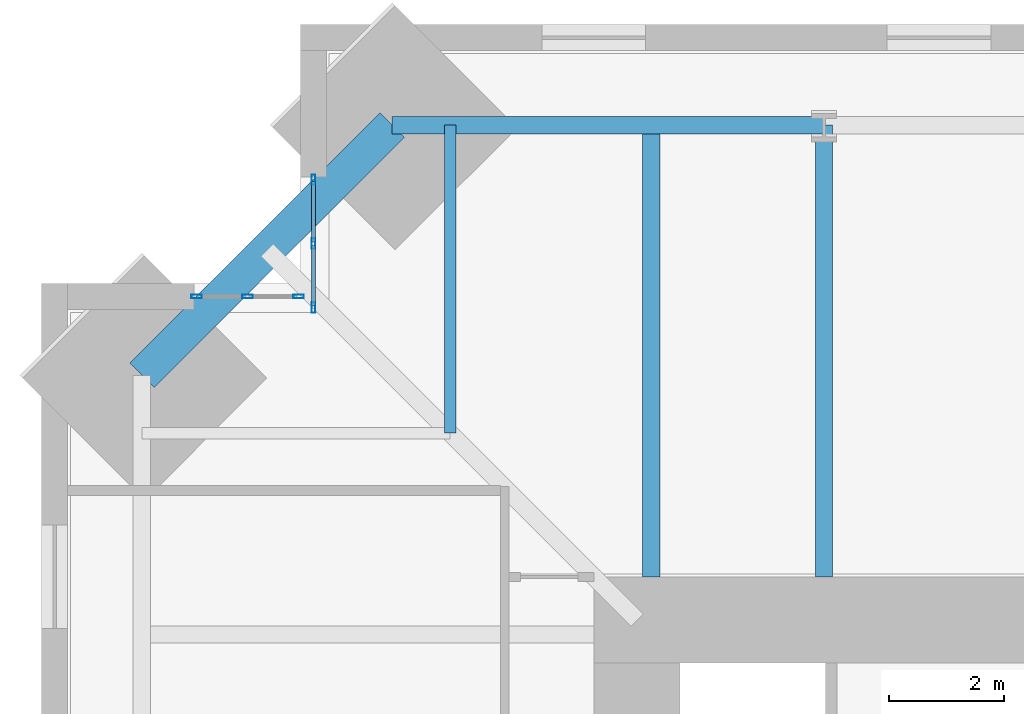
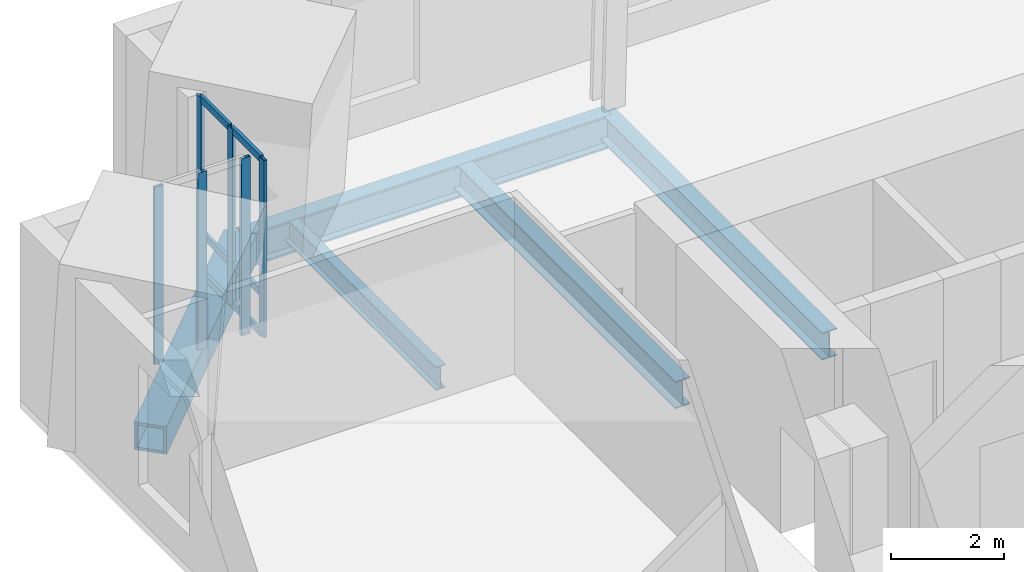
# One storey, part 6 of 16: 12 members, 5 beams, 2 elements without a shape of their own.
"""IFC4 building model written with IfcOpenShell, lengths in metres."""

from ifc_helpers import new_model, si_unit, direction, frame, origin, origin_2d, place, context, subcontext, project, spatial, hollow_rectangle, i_section, extrude, material, material_profile, profile_set, type_object, element, aggregate, save


model = new_model("IFC4")

# Units and contexts
model_context = context("Model", 3, precision=1e-05, world=origin(), true_north=direction((0.0, 1.0)))
body_context = subcontext(model_context, "Body", "Model", "MODEL_VIEW")
ifc_project = project(units=[si_unit("LENGTHUNIT", "METRE"), si_unit("AREAUNIT", "SQUARE_METRE"), si_unit("VOLUMEUNIT", "CUBIC_METRE"), si_unit("PLANEANGLEUNIT", "RADIAN"), si_unit("MASSUNIT", "GRAM", prefix="KILO")], contexts=[model_context])

# Site, building, storey
site_placement = place(None, origin())
site = spatial("IfcSite", under=ifc_project, at=site_placement, CompositionType="ELEMENT")
building_placement = place(site_placement, origin())
building = spatial("IfcBuilding", under=site, at=building_placement, Name="Peilmerk Tower", CompositionType="ELEMENT")
storey_placement = place(building_placement, frame((0.0, 0.0, 273.800048828125)))
storey = spatial("IfcBuildingStorey", under=building, at=storey_placement, Name="L61", CompositionType="ELEMENT", Elevation=273.800048828125)

# Beams
ifc_material_1 = material(Name="Steel S460", Category="steel")
ifc_material_profile_1 = material_profile(ifc_material_1, hollow_rectangle(XDim=0.60009765625, YDim=0.60009765625, WallThickness=0.06005859375, at=origin_2d()), Name="BOX 600x600x60")
ifc_profile_set_1 = profile_set([ifc_material_profile_1], Name="Steel S460")
beam_type_1 = type_object("IfcBeamType", Name="B20 BOX 600x600x60 notch beam", PredefinedType="SPANDREL", material=ifc_profile_set_1)
beam_1_placement = place(storey_placement, frame((-19.8564453125, 15.50634765625, -0.469970703125), z_axis=(0.707106781187, 0.707106781187, 0.0), x_axis=(-0.707106781187, 0.707106781187, 0.0)))
element("IfcBeam", 1, at=beam_1_placement, inside=storey, type_object=beam_type_1, Name="Notch beam L61", PredefinedType="SPANDREL", context=body_context, shape_type="SweptSolid", body=[
    extrude(hollow_rectangle(XDim=0.60009765625, YDim=0.60009765625, WallThickness=0.06005859375, at=origin_2d()), origin(), (0.0, 0.0, 1.0), 6.15185546875),
])
ifc_material_2 = material(Name="Steel S355", Category="steel")
ifc_material_profile_2 = material_profile(ifc_material_2, i_section(OverallWidth=0.300048828125, OverallDepth=0.590087890625, WebThickness=0.012939453125, FlangeThickness=0.02490234375, at=origin_2d()), Name="HEA 600")
ifc_profile_set_2 = profile_set([ifc_material_profile_2], Name="Steel S355")
beam_type_2 = type_object("IfcBeamType", Name="B27 HEA 600 floor beam", PredefinedType="BEAM", material=ifc_profile_set_2)
for number, where, z_axis, x_axis, name in (
    (2, (-8.0, 12.0, -0.465087890625), (0.0, 1.0, 0.0), (-1.0, 0.0, 0.0), "Floor beam L61"),
    (3, (-11.0, 12.0, -0.465087890625), (0.0, 1.0, 0.0), (-1.0, 0.0, 0.0), "Floor beam L61"),
):
    element("IfcBeam", number, at=place(storey_placement, frame(where, z_axis=z_axis, x_axis=x_axis)), inside=storey, type_object=beam_type_2, Name=name, PredefinedType="BEAM", context=body_context, shape_type="SweptSolid", body=[
        extrude(i_section(OverallWidth=0.300048828125, OverallDepth=0.590087890625, WebThickness=0.012939453125, FlangeThickness=0.02490234375, at=origin_2d()), origin(), (0.0, 0.0, 1.0), 7.8564453125),
    ])
ifc_material_profile_3 = material_profile(ifc_material_2, i_section(OverallWidth=0.303955078125, OverallDepth=0.716064453125, WebThickness=0.02099609375, FlangeThickness=0.0400390625, at=origin_2d()), Name="HEM 700")
ifc_profile_set_3 = profile_set([ifc_material_profile_3], Name="Steel S355")
beam_type_3 = type_object("IfcBeamType", Name="B30 HEM 700 edge beam", PredefinedType="SPANDREL", material=ifc_profile_set_3)
beam_2_placement = place(storey_placement, frame((-8.0, 19.8564453125, -0.528076171875), z_axis=(-1.0, 0.0, 0.0), x_axis=(0.0, -1.0, 0.0)))
element("IfcBeam", 4, at=beam_2_placement, inside=storey, type_object=beam_type_3, Name="Edge beam L61", PredefinedType="SPANDREL", context=body_context, shape_type="SweptSolid", body=[
    extrude(i_section(OverallWidth=0.303955078125, OverallDepth=0.716064453125, WebThickness=0.02099609375, FlangeThickness=0.0400390625, at=origin_2d()), origin(), (0.0, 0.0, 1.0), 7.50634765625),
])
ifc_material_profile_4 = material_profile(ifc_material_2, i_section(OverallWidth=0.199951171875, OverallDepth=0.5, WebThickness=0.01025390625, FlangeThickness=0.01611328125, at=origin_2d()), Name="IPE 500")
ifc_profile_set_4 = profile_set([ifc_material_profile_4], Name="Steel S355")
beam_type_4 = type_object("IfcBeamType", Name="B32 IPE 500 floor beam", PredefinedType="BEAM", material=ifc_profile_set_4)
beam_3_placement = place(storey_placement, frame((-14.5, 14.5, -0.420166015625), z_axis=(0.0, 1.0, 0.0), x_axis=(-1.0, 0.0, 0.0)))
element("IfcBeam", 5, at=beam_3_placement, inside=storey, type_object=beam_type_4, Name="Floor beam L61", PredefinedType="BEAM", context=body_context, shape_type="SweptSolid", body=[
    extrude(i_section(OverallWidth=0.199951171875, OverallDepth=0.5, WebThickness=0.01025390625, FlangeThickness=0.01611328125, at=origin_2d()), origin(), (0.0, 0.0, 1.0), 5.3564453125),
])

# Curtain wall, members
ifc_material_3 = material(Name="Aluminium stick curtain wall", Category="aluminium")
curtain_wall_type = type_object("IfcCurtainWallType", Name="CW4 stick curtain wall, 2250 module", PredefinedType="NOTDEFINED", material=ifc_material_3)
curtain_wall_1_placement = place(storey_placement, origin())
curtain_wall_1 = element("IfcCurtainWall", 6, at=curtain_wall_1_placement, inside=storey, type_object=curtain_wall_type, Name="Curtain wall CW4 NWA L61", PredefinedType="NOTDEFINED")
ifc_material_4 = material(Name="Aluminium EN AW-6063 T6", Category="aluminium")
ifc_material_profile_5 = material_profile(ifc_material_4, hollow_rectangle(XDim=0.06494140625, YDim=0.179931640625, WallThickness=0.0029296875, at=origin_2d()), Name="AL 180x65x3")
ifc_profile_set_5 = profile_set([ifc_material_profile_5], Name="Aluminium EN AW-6063 T6")
member_type_1 = type_object("IfcMemberType", Name="CW4-M AL 180x65x3 mullion", PredefinedType="MULLION", material=ifc_profile_set_5)
member_1_placement = place(storey_placement, frame((-16.875, 16.6826171875, 0.0), z_axis=(0.0, 0.0, 1.0), x_axis=(-1.0, 0.0, 0.0)))
member_1 = element("IfcMember", 7, at=member_1_placement, type_object=member_type_1, Name="CW4 mullion 1", PredefinedType="MULLION", context=body_context, shape_type="SweptSolid", body=[
    extrude(hollow_rectangle(XDim=0.06494140625, YDim=0.179931640625, WallThickness=0.0029296875, at=origin_2d()), origin(), (0.0, 0.0, 1.0), 3.829833984375),
])
member_2_placement = place(storey_placement, frame((-16.875, 17.79443359375, 0.0), z_axis=(0.0, 0.0, 1.0), x_axis=(-1.0, 0.0, 0.0)))
member_2 = element("IfcMember", 8, at=member_2_placement, type_object=member_type_1, Name="CW4 mullion 2", PredefinedType="MULLION", context=body_context, shape_type="SweptSolid", body=[
    extrude(hollow_rectangle(XDim=0.06494140625, YDim=0.179931640625, WallThickness=0.0029296875, at=origin_2d()), origin(), (0.0, 0.0, 1.0), 3.829833984375),
])
member_3_placement = place(storey_placement, frame((-16.875, 18.90625, 0.0), z_axis=(0.0, 0.0, 1.0), x_axis=(-1.0, 0.0, 0.0)))
member_3 = element("IfcMember", 9, at=member_3_placement, type_object=member_type_1, Name="CW4 mullion 3", PredefinedType="MULLION", context=body_context, shape_type="SweptSolid", body=[
    extrude(hollow_rectangle(XDim=0.06494140625, YDim=0.179931640625, WallThickness=0.0029296875, at=origin_2d()), origin(), (0.0, 0.0, 1.0), 3.829833984375),
])

curtain_wall_2_placement = place(storey_placement, origin())
curtain_wall_2 = element("IfcCurtainWall", 10, at=curtain_wall_2_placement, inside=storey, type_object=curtain_wall_type, Name="Curtain wall CW4 NWB L61", PredefinedType="NOTDEFINED")
member_4_placement = place(storey_placement, frame((-17.132568359375, 16.875, 0.0), z_axis=(0.0, 0.0, 1.0), x_axis=(0.0, -1.0, 0.0)))
member_4 = element("IfcMember", 11, at=member_4_placement, type_object=member_type_1, Name="CW4 mullion 1", PredefinedType="MULLION", context=body_context, shape_type="SweptSolid", body=[
    extrude(hollow_rectangle(XDim=0.06494140625, YDim=0.179931640625, WallThickness=0.0029296875, at=origin_2d()), origin(), (0.0, 0.0, 1.0), 3.829833984375),
])
member_5_placement = place(storey_placement, frame((-18.019287109375, 16.875, 0.0), z_axis=(0.0, 0.0, 1.0), x_axis=(0.0, -1.0, 0.0)))
member_5 = element("IfcMember", 12, at=member_5_placement, type_object=member_type_1, Name="CW4 mullion 2", PredefinedType="MULLION", context=body_context, shape_type="SweptSolid", body=[
    extrude(hollow_rectangle(XDim=0.06494140625, YDim=0.179931640625, WallThickness=0.0029296875, at=origin_2d()), origin(), (0.0, 0.0, 1.0), 3.829833984375),
])
member_6_placement = place(storey_placement, frame((-18.90625, 16.875, 0.0), z_axis=(0.0, 0.0, 1.0), x_axis=(0.0, -1.0, 0.0)))
member_6 = element("IfcMember", 13, at=member_6_placement, type_object=member_type_1, Name="CW4 mullion 3", PredefinedType="MULLION", context=body_context, shape_type="SweptSolid", body=[
    extrude(hollow_rectangle(XDim=0.06494140625, YDim=0.179931640625, WallThickness=0.0029296875, at=origin_2d()), origin(), (0.0, 0.0, 1.0), 3.829833984375),
])
aggregate(curtain_wall_2, [member_4, member_5, member_6])

# Member
ifc_material_profile_6 = material_profile(ifc_material_4, hollow_rectangle(XDim=0.06494140625, YDim=0.14990234375, WallThickness=0.0029296875, at=origin_2d()), Name="AL 150x65x3")
ifc_profile_set_6 = profile_set([ifc_material_profile_6], Name="Aluminium EN AW-6063 T6")
member_type_2 = type_object("IfcMemberType", Name="CW4-T AL 150x65x3 transom", PredefinedType="USERDEFINED", material=ifc_profile_set_6)
member_7_placement = place(storey_placement, frame((-16.875, 16.715087890625, 0.032470703125), z_axis=(0.0, 1.0, 0.0), x_axis=(-1.0, 0.0, 0.0)))
member_7 = element("IfcMember", 14, at=member_7_placement, type_object=member_type_2, Name="CW4 transom 1.1", ObjectType="TRANSOM", PredefinedType="USERDEFINED", context=body_context, shape_type="SweptSolid", body=[
    extrude(hollow_rectangle(XDim=0.06494140625, YDim=0.14990234375, WallThickness=0.0029296875, at=origin_2d()), origin(), (0.0, 0.0, 1.0), 1.046630859375),
])

member_8_placement = place(storey_placement, frame((-16.875, 16.715087890625, 0.89990234375), z_axis=(0.0, 1.0, 0.0), x_axis=(-1.0, 0.0, 0.0)))
member_8 = element("IfcMember", 15, at=member_8_placement, type_object=member_type_2, Name="CW4 transom 1.2", ObjectType="TRANSOM", PredefinedType="USERDEFINED", context=body_context, shape_type="SweptSolid", body=[
    extrude(hollow_rectangle(XDim=0.06494140625, YDim=0.14990234375, WallThickness=0.0029296875, at=origin_2d()), origin(), (0.0, 0.0, 1.0), 1.046630859375),
])

member_9_placement = place(storey_placement, frame((-16.875, 16.715087890625, 3.79736328125), z_axis=(0.0, 1.0, 0.0), x_axis=(-1.0, 0.0, 0.0)))
member_9 = element("IfcMember", 16, at=member_9_placement, type_object=member_type_2, Name="CW4 transom 1.3", ObjectType="TRANSOM", PredefinedType="USERDEFINED", context=body_context, shape_type="SweptSolid", body=[
    extrude(hollow_rectangle(XDim=0.06494140625, YDim=0.14990234375, WallThickness=0.0029296875, at=origin_2d()), origin(), (0.0, 0.0, 1.0), 1.046630859375),
])

member_10_placement = place(storey_placement, frame((-16.875, 17.826904296875, 0.032470703125), z_axis=(0.0, 1.0, 0.0), x_axis=(-1.0, 0.0, 0.0)))
member_10 = element("IfcMember", 17, at=member_10_placement, type_object=member_type_2, Name="CW4 transom 2.1", ObjectType="TRANSOM", PredefinedType="USERDEFINED", context=body_context, shape_type="SweptSolid", body=[
    extrude(hollow_rectangle(XDim=0.06494140625, YDim=0.14990234375, WallThickness=0.0029296875, at=origin_2d()), origin(), (0.0, 0.0, 1.0), 1.046875),
])

member_11_placement = place(storey_placement, frame((-16.875, 17.826904296875, 0.89990234375), z_axis=(0.0, 1.0, 0.0), x_axis=(-1.0, 0.0, 0.0)))
member_11 = element("IfcMember", 18, at=member_11_placement, type_object=member_type_2, Name="CW4 transom 2.2", ObjectType="TRANSOM", PredefinedType="USERDEFINED", context=body_context, shape_type="SweptSolid", body=[
    extrude(hollow_rectangle(XDim=0.06494140625, YDim=0.14990234375, WallThickness=0.0029296875, at=origin_2d()), origin(), (0.0, 0.0, 1.0), 1.046875),
])

member_12_placement = place(storey_placement, frame((-16.875, 17.826904296875, 3.79736328125), z_axis=(0.0, 1.0, 0.0), x_axis=(-1.0, 0.0, 0.0)))
member_12 = element("IfcMember", 19, at=member_12_placement, type_object=member_type_2, Name="CW4 transom 2.3", ObjectType="TRANSOM", PredefinedType="USERDEFINED", context=body_context, shape_type="SweptSolid", body=[
    extrude(hollow_rectangle(XDim=0.06494140625, YDim=0.14990234375, WallThickness=0.0029296875, at=origin_2d()), origin(), (0.0, 0.0, 1.0), 1.046875),
])

aggregate(curtain_wall_1, [member_1, member_2, member_3, member_7, member_8, member_9, member_10, member_11, member_12])

save(model, "model.ifc")
